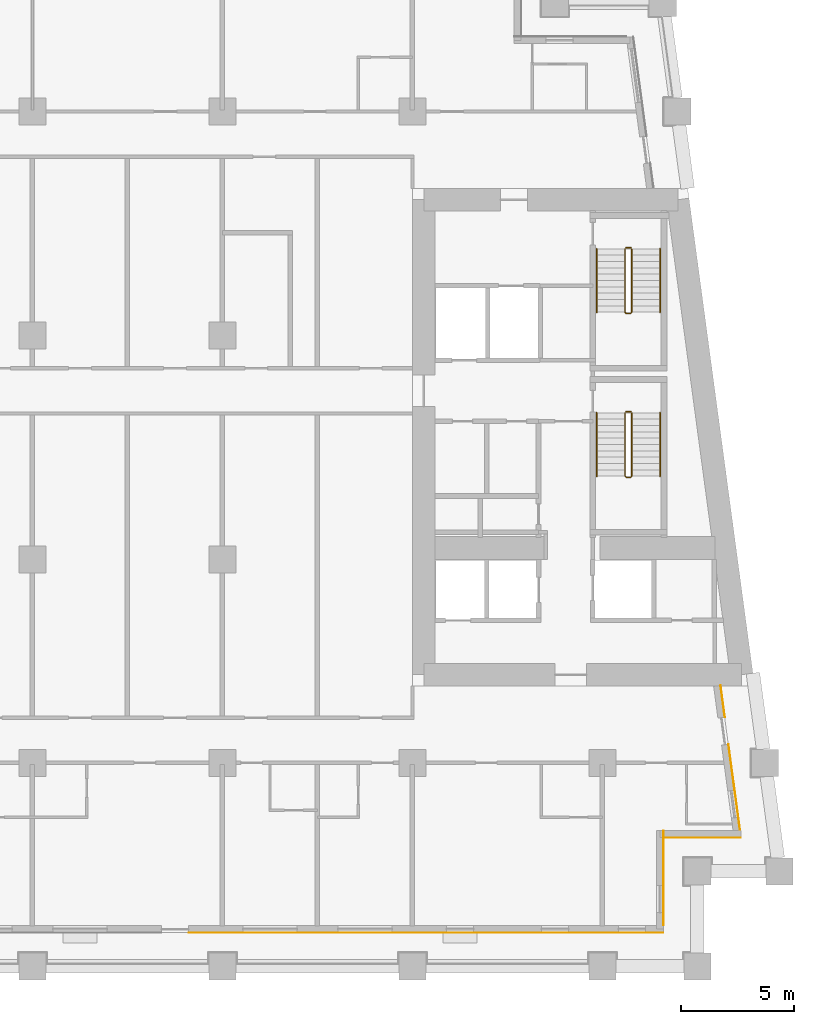
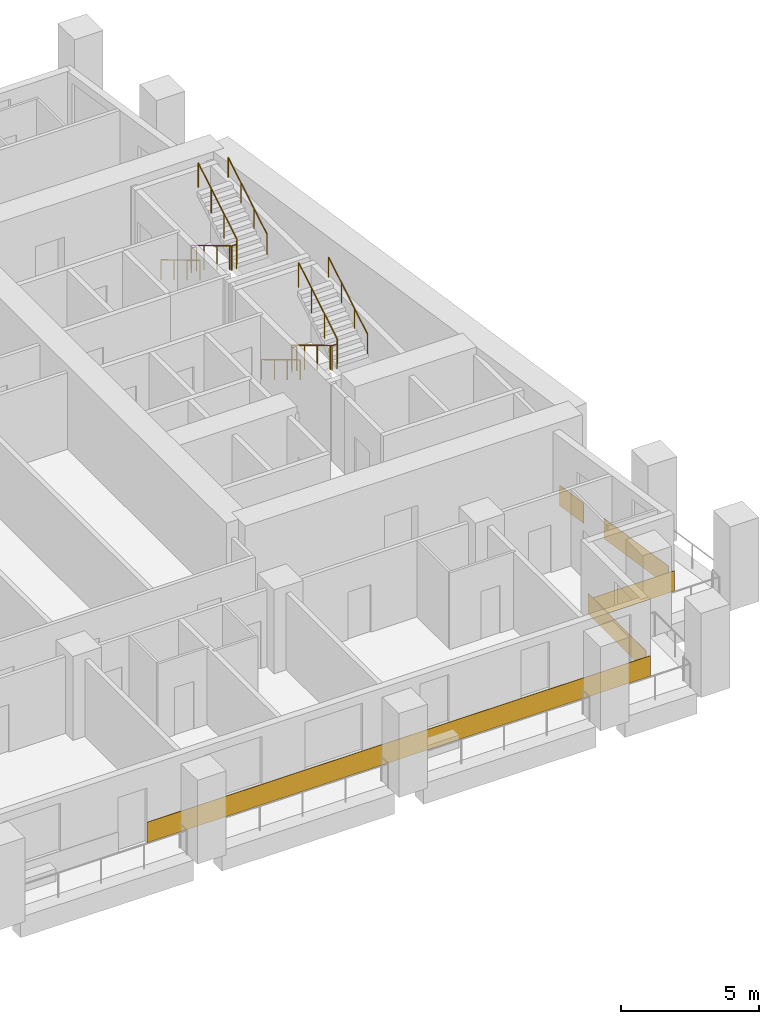
# One storey, part 11 of 13: 8 railings, 5 coverings.
"""IFC4 building model written with IfcOpenShell, lengths in metres."""

from ifc_helpers import new_model, si_unit, direction, frame, origin, origin_2d, place, context, subcontext, project, spatial, rectangle, circle, extrude, material, layer, layer_set, type_object, element, save


model = new_model("IFC4")

# Units and contexts
model_context = context("Model", 3, precision=1e-05, world=origin(), true_north=direction((0.0, 1.0)))
body_context = subcontext(model_context, "Body", "Model", "MODEL_VIEW")
ifc_project = project(units=[si_unit("LENGTHUNIT", "METRE"), si_unit("AREAUNIT", "SQUARE_METRE"), si_unit("VOLUMEUNIT", "CUBIC_METRE"), si_unit("PLANEANGLEUNIT", "RADIAN"), si_unit("MASSUNIT", "GRAM", prefix="KILO")], contexts=[model_context])

# Site, building, storey
site_placement = place(None, origin())
site = spatial("IfcSite", under=ifc_project, at=site_placement, CompositionType="ELEMENT")
building_placement = place(site_placement, origin())
building = spatial("IfcBuilding", under=site, at=building_placement, Name="Candeia Pilgrim Tower and Theatre", CompositionType="ELEMENT")
storey_placement = place(building_placement, frame((0.0, 0.0, 98.39990234375)))
storey = spatial("IfcBuildingStorey", under=building, at=storey_placement, Name="L22", CompositionType="ELEMENT", Elevation=98.39990234375)

# Coverings
ifc_material_1 = material(Name="Glazed ceramic tile red")
ifc_layer = layer(ifc_material_1, 0.02001953125)
ifc_layer_set = layer_set([ifc_layer], Name="Glazed ceramic tile red")
covering_type = type_object("IfcCoveringType", Name="Glazed ceramic tile red", PredefinedType="CLADDING", material=ifc_layer_set)
covering_1_placement = place(storey_placement, frame((126.60009765625, 99.489990234375, 0.000244140625), z_axis=(0.0, 0.0, 1.0), x_axis=(1.0, 0.0, 0.0)))
element("IfcCovering", 1, at=covering_1_placement, inside=storey, type_object=covering_type, Name="Tile cladding red L22", PredefinedType="CLADDING", context=body_context, shape_type="SweptSolid", body=[
    extrude(rectangle(XDim=21.0, YDim=0.02001953125, at=origin_2d()), origin(), (0.0, 0.0, 1.0), 0.89990234375),
])
covering_2_placement = place(storey_placement, frame((137.110107421875, 101.909912109375, 0.000244140625), z_axis=(0.0, 0.0, 1.0), x_axis=(0.0, 1.0, 0.0)))
element("IfcCovering", 2, at=covering_2_placement, inside=storey, type_object=covering_type, Name="Tile cladding red L22", PredefinedType="CLADDING", context=body_context, shape_type="SweptSolid", body=[
    extrude(rectangle(XDim=4.179931640625, YDim=0.02001953125, at=origin_2d()), origin(), (0.0, 0.0, 1.0), 0.89990234375),
])
covering_3_placement = place(storey_placement, frame((138.819580078125, 103.68994140625, 0.000244140625), z_axis=(0.0, 0.0, 1.0), x_axis=(1.0, 0.0, 0.0)))
element("IfcCovering", 3, at=covering_3_placement, inside=storey, type_object=covering_type, Name="Tile cladding red L22", PredefinedType="CLADDING", context=body_context, shape_type="SweptSolid", body=[
    extrude(rectangle(XDim=3.399169921875, YDim=0.02001953125, at=origin_2d()), origin(), (0.0, 0.0, 1.0), 0.89990234375),
])
covering_4_placement = place(storey_placement, frame((140.228515625, 105.933349609375, 0.000244140625), z_axis=(0.0, 0.0, 1.0), x_axis=(-0.133412012145, 0.991060661622, 0.0)))
element("IfcCovering", 4, at=covering_4_placement, inside=storey, type_object=covering_type, Name="Tile cladding red L22", PredefinedType="CLADDING", context=body_context, shape_type="SweptSolid", body=[
    extrude(rectangle(XDim=3.821044921875, YDim=0.02001953125, at=origin_2d()), origin(), (0.0, 0.0, 1.0), 0.89990234375),
])
covering_5_placement = place(storey_placement, frame((139.718994140625, 109.71875, 0.000244140625), z_axis=(0.0, 0.0, 1.0), x_axis=(-0.133412012145, 0.991060661622, 0.0)))
element("IfcCovering", 5, at=covering_5_placement, inside=storey, type_object=covering_type, Name="Tile cladding red L22", PredefinedType="CLADDING", context=body_context, shape_type="SweptSolid", body=[
    extrude(rectangle(XDim=1.41796875, YDim=0.02001953125, at=origin_2d()), origin(), (0.0, 0.0, 1.0), 0.89990234375),
])

# Railings
ifc_material_2 = material(Name="Stainless steel balustrade", Category="steel")
railing_type_1 = type_object("IfcRailingType", Name="RL-GUARD-1100", PredefinedType="GUARDRAIL", material=ifc_material_2)
railing_1_placement = place(storey_placement, frame((135.39794921875, 122.47509765625, 0.168212890625)))
element("IfcRailing", 6, at=railing_1_placement, inside=storey, type_object=railing_type_1, Name="L22 ST3 stair guard 1", PredefinedType="GUARDRAIL", context=body_context, shape_type="SweptSolid", body=[
    extrude(circle(Radius=0.02392578125, at=origin_2d()), frame((0.0, 0.0, 1.076171875), z_axis=(0.0, -0.857242210791, 0.514913383045), x_axis=(1.0, 0.0, 0.0)), (0.0, 0.0, 1.0), 3.266357421875),
    extrude(circle(Radius=0.02392578125, at=origin_2d()), frame((0.0, -2.800048828125, 2.7578125), z_axis=(0.707106781187, -0.707106781187, 0.0), x_axis=(0.707106781187, 0.707106781187, 0.0)), (0.0, 0.0, 1.0), 0.07080078125),
    extrude(circle(Radius=0.02392578125, at=origin_2d()), frame((0.050048828125, -2.85009765625, 2.7578125), z_axis=(1.0, 0.0, 0.0), x_axis=(0.0, 1.0, 0.0)), (0.0, 0.0, 1.0), 0.199951171875),
    extrude(circle(Radius=0.02392578125, at=origin_2d()), frame((0.25, -2.85009765625, 2.7578125), z_axis=(0.274243871929, 0.274243871929, 0.92172696468), x_axis=(-0.707106781187, 0.707106781187, 0.0)), (0.0, 0.0, 1.0), 0.1826171875),
    extrude(circle(Radius=0.02392578125, at=origin_2d()), frame((0.300048828125, -2.800048828125, 2.92626953125), z_axis=(0.0, 0.857242210791, 0.514913383045), x_axis=(-1.0, 0.0, 0.0)), (0.0, 0.0, 1.0), 3.266357421875),
    extrude(circle(Radius=0.02099609375, at=origin_2d()), origin(), (0.0, 0.0, 1.0), 1.052001953125),
    extrude(circle(Radius=0.02099609375, at=origin_2d()), frame((0.0, -0.933349609375, 0.560546875)), (0.0, 0.0, 1.0), 1.052001953125),
    extrude(circle(Radius=0.02099609375, at=origin_2d()), frame((0.0, -1.86669921875, 1.121337890625)), (0.0, 0.0, 1.0), 1.052001953125),
    extrude(circle(Radius=0.02099609375, at=origin_2d()), frame((0.0, -2.800048828125, 1.681884765625)), (0.0, 0.0, 1.0), 1.052001953125),
    extrude(circle(Radius=0.02099609375, at=origin_2d()), frame((0.050048828125, -2.85009765625, 1.681884765625)), (0.0, 0.0, 1.0), 1.052001953125),
    extrude(circle(Radius=0.02099609375, at=origin_2d()), frame((0.25, -2.85009765625, 1.681884765625)), (0.0, 0.0, 1.0), 1.052001953125),
    extrude(circle(Radius=0.02099609375, at=origin_2d()), frame((0.300048828125, -2.800048828125, 1.85009765625)), (0.0, 0.0, 1.0), 1.052001953125),
    extrude(circle(Radius=0.02099609375, at=origin_2d()), frame((0.300048828125, -1.86669921875, 2.41064453125)), (0.0, 0.0, 1.0), 1.052001953125),
    extrude(circle(Radius=0.02099609375, at=origin_2d()), frame((0.300048828125, -0.933349609375, 2.971435546875)), (0.0, 0.0, 1.0), 1.052001953125),
    extrude(circle(Radius=0.02099609375, at=origin_2d()), frame((0.300048828125, 0.0, 3.531982421875)), (0.0, 0.0, 1.0), 1.052001953125),
])
railing_2_placement = place(storey_placement, frame((135.447998046875, 122.52490234375, 0.0)))
element("IfcRailing", 7, at=railing_2_placement, inside=storey, type_object=railing_type_1, Name="L22 ST3 stair guard 2", PredefinedType="GUARDRAIL", context=body_context, shape_type="SweptSolid", body=[
    extrude(circle(Radius=0.02392578125, at=origin_2d()), frame((0.0, 0.0, 1.076171875), z_axis=(1.0, 0.0, 0.0), x_axis=(0.0, 1.0, 0.0)), (0.0, 0.0, 1.0), 0.199951171875),
    extrude(circle(Radius=0.02099609375, at=origin_2d()), origin(), (0.0, 0.0, 1.0), 1.052001953125),
    extrude(circle(Radius=0.02099609375, at=origin_2d()), frame((0.199951171875, 0.0, 0.0)), (0.0, 0.0, 1.0), 1.052001953125),
])
railing_3_placement = place(storey_placement, frame((135.39794921875, 129.72509765625, 0.168212890625)))
element("IfcRailing", 8, at=railing_3_placement, inside=storey, type_object=railing_type_1, Name="L22 ST4 stair guard 1", PredefinedType="GUARDRAIL", context=body_context, shape_type="SweptSolid", body=[
    extrude(circle(Radius=0.02392578125, at=origin_2d()), frame((0.0, 0.0, 1.076171875), z_axis=(0.0, -0.857242210791, 0.514913383045), x_axis=(1.0, 0.0, 0.0)), (0.0, 0.0, 1.0), 3.266357421875),
    extrude(circle(Radius=0.02392578125, at=origin_2d()), frame((0.0, -2.800048828125, 2.7578125), z_axis=(0.707106781187, -0.707106781187, 0.0), x_axis=(0.707106781187, 0.707106781187, 0.0)), (0.0, 0.0, 1.0), 0.07080078125),
    extrude(circle(Radius=0.02392578125, at=origin_2d()), frame((0.050048828125, -2.85009765625, 2.7578125), z_axis=(1.0, 0.0, 0.0), x_axis=(0.0, 1.0, 0.0)), (0.0, 0.0, 1.0), 0.199951171875),
    extrude(circle(Radius=0.02392578125, at=origin_2d()), frame((0.25, -2.85009765625, 2.7578125), z_axis=(0.274243871929, 0.274243871929, 0.92172696468), x_axis=(-0.707106781187, 0.707106781187, 0.0)), (0.0, 0.0, 1.0), 0.1826171875),
    extrude(circle(Radius=0.02392578125, at=origin_2d()), frame((0.300048828125, -2.800048828125, 2.92626953125), z_axis=(0.0, 0.857242210791, 0.514913383045), x_axis=(-1.0, 0.0, 0.0)), (0.0, 0.0, 1.0), 3.266357421875),
    extrude(circle(Radius=0.02099609375, at=origin_2d()), origin(), (0.0, 0.0, 1.0), 1.052001953125),
    extrude(circle(Radius=0.02099609375, at=origin_2d()), frame((0.0, -0.933349609375, 0.560546875)), (0.0, 0.0, 1.0), 1.052001953125),
    extrude(circle(Radius=0.02099609375, at=origin_2d()), frame((0.0, -1.86669921875, 1.121337890625)), (0.0, 0.0, 1.0), 1.052001953125),
    extrude(circle(Radius=0.02099609375, at=origin_2d()), frame((0.0, -2.800048828125, 1.681884765625)), (0.0, 0.0, 1.0), 1.052001953125),
    extrude(circle(Radius=0.02099609375, at=origin_2d()), frame((0.050048828125, -2.85009765625, 1.681884765625)), (0.0, 0.0, 1.0), 1.052001953125),
    extrude(circle(Radius=0.02099609375, at=origin_2d()), frame((0.25, -2.85009765625, 1.681884765625)), (0.0, 0.0, 1.0), 1.052001953125),
    extrude(circle(Radius=0.02099609375, at=origin_2d()), frame((0.300048828125, -2.800048828125, 1.85009765625)), (0.0, 0.0, 1.0), 1.052001953125),
    extrude(circle(Radius=0.02099609375, at=origin_2d()), frame((0.300048828125, -1.86669921875, 2.41064453125)), (0.0, 0.0, 1.0), 1.052001953125),
    extrude(circle(Radius=0.02099609375, at=origin_2d()), frame((0.300048828125, -0.933349609375, 2.971435546875)), (0.0, 0.0, 1.0), 1.052001953125),
    extrude(circle(Radius=0.02099609375, at=origin_2d()), frame((0.300048828125, 0.0, 3.531982421875)), (0.0, 0.0, 1.0), 1.052001953125),
])
railing_4_placement = place(storey_placement, frame((135.447998046875, 129.77490234375, 0.0)))
element("IfcRailing", 9, at=railing_4_placement, inside=storey, type_object=railing_type_1, Name="L22 ST4 stair guard 2", PredefinedType="GUARDRAIL", context=body_context, shape_type="SweptSolid", body=[
    extrude(circle(Radius=0.02392578125, at=origin_2d()), frame((0.0, 0.0, 1.076171875), z_axis=(1.0, 0.0, 0.0), x_axis=(0.0, 1.0, 0.0)), (0.0, 0.0, 1.0), 0.199951171875),
    extrude(circle(Radius=0.02099609375, at=origin_2d()), origin(), (0.0, 0.0, 1.0), 1.052001953125),
    extrude(circle(Radius=0.02099609375, at=origin_2d()), frame((0.199951171875, 0.0, 0.0)), (0.0, 0.0, 1.0), 1.052001953125),
])
ifc_material_3 = material(Name="Stainless steel handrail", Category="steel")
railing_type_2 = type_object("IfcRailingType", Name="RL-HANDRAIL-900", PredefinedType="HANDRAIL", material=ifc_material_3)
railing_5_placement = place(storey_placement, frame((134.14794921875, 122.47509765625, 0.168212890625)))
element("IfcRailing", 10, at=railing_5_placement, inside=storey, type_object=railing_type_2, Name="L22 ST3 stair handrail 1", PredefinedType="HANDRAIL", context=body_context, shape_type="SweptSolid", body=[
    extrude(circle(Radius=0.02392578125, at=origin_2d()), frame((0.0, 0.0, 0.8759765625), z_axis=(0.0, -0.857242210791, 0.514913383045), x_axis=(1.0, 0.0, 0.0)), (0.0, 0.0, 1.0), 3.266357421875),
    extrude(circle(Radius=0.02099609375, at=origin_2d()), origin(), (0.0, 0.0, 1.0), 0.851806640625),
    extrude(circle(Radius=0.02099609375, at=origin_2d()), frame((0.0, -0.933349609375, 0.560546875)), (0.0, 0.0, 1.0), 0.851806640625),
    extrude(circle(Radius=0.02099609375, at=origin_2d()), frame((0.0, -1.86669921875, 1.121337890625)), (0.0, 0.0, 1.0), 0.851806640625),
    extrude(circle(Radius=0.02099609375, at=origin_2d()), frame((0.0, -2.800048828125, 1.681884765625)), (0.0, 0.0, 1.0), 0.851806640625),
])
railing_6_placement = place(storey_placement, frame((136.947998046875, 119.675048828125, 2.018310546875)))
element("IfcRailing", 11, at=railing_6_placement, inside=storey, type_object=railing_type_2, Name="L22 ST3 stair handrail 2", PredefinedType="HANDRAIL", context=body_context, shape_type="SweptSolid", body=[
    extrude(circle(Radius=0.02392578125, at=origin_2d()), frame((0.0, 0.0, 0.8759765625), z_axis=(0.0, 0.857242210791, 0.514913383045), x_axis=(-1.0, 0.0, 0.0)), (0.0, 0.0, 1.0), 3.266357421875),
    extrude(circle(Radius=0.02099609375, at=origin_2d()), origin(), (0.0, 0.0, 1.0), 0.851806640625),
    extrude(circle(Radius=0.02099609375, at=origin_2d()), frame((0.0, 0.933349609375, 0.560546875)), (0.0, 0.0, 1.0), 0.851806640625),
    extrude(circle(Radius=0.02099609375, at=origin_2d()), frame((0.0, 1.86669921875, 1.121337890625)), (0.0, 0.0, 1.0), 0.851806640625),
    extrude(circle(Radius=0.02099609375, at=origin_2d()), frame((0.0, 2.800048828125, 1.681884765625)), (0.0, 0.0, 1.0), 0.851806640625),
])
railing_7_placement = place(storey_placement, frame((134.14794921875, 129.72509765625, 0.168212890625)))
element("IfcRailing", 12, at=railing_7_placement, inside=storey, type_object=railing_type_2, Name="L22 ST4 stair handrail 1", PredefinedType="HANDRAIL", context=body_context, shape_type="SweptSolid", body=[
    extrude(circle(Radius=0.02392578125, at=origin_2d()), frame((0.0, 0.0, 0.8759765625), z_axis=(0.0, -0.857242210791, 0.514913383045), x_axis=(1.0, 0.0, 0.0)), (0.0, 0.0, 1.0), 3.266357421875),
    extrude(circle(Radius=0.02099609375, at=origin_2d()), origin(), (0.0, 0.0, 1.0), 0.851806640625),
    extrude(circle(Radius=0.02099609375, at=origin_2d()), frame((0.0, -0.933349609375, 0.560546875)), (0.0, 0.0, 1.0), 0.851806640625),
    extrude(circle(Radius=0.02099609375, at=origin_2d()), frame((0.0, -1.86669921875, 1.121337890625)), (0.0, 0.0, 1.0), 0.851806640625),
    extrude(circle(Radius=0.02099609375, at=origin_2d()), frame((0.0, -2.800048828125, 1.681884765625)), (0.0, 0.0, 1.0), 0.851806640625),
])
railing_8_placement = place(storey_placement, frame((136.947998046875, 126.925048828125, 2.018310546875)))
element("IfcRailing", 13, at=railing_8_placement, inside=storey, type_object=railing_type_2, Name="L22 ST4 stair handrail 2", PredefinedType="HANDRAIL", context=body_context, shape_type="SweptSolid", body=[
    extrude(circle(Radius=0.02392578125, at=origin_2d()), frame((0.0, 0.0, 0.8759765625), z_axis=(0.0, 0.857242210791, 0.514913383045), x_axis=(-1.0, 0.0, 0.0)), (0.0, 0.0, 1.0), 3.266357421875),
    extrude(circle(Radius=0.02099609375, at=origin_2d()), origin(), (0.0, 0.0, 1.0), 0.851806640625),
    extrude(circle(Radius=0.02099609375, at=origin_2d()), frame((0.0, 0.933349609375, 0.560546875)), (0.0, 0.0, 1.0), 0.851806640625),
    extrude(circle(Radius=0.02099609375, at=origin_2d()), frame((0.0, 1.86669921875, 1.121337890625)), (0.0, 0.0, 1.0), 0.851806640625),
    extrude(circle(Radius=0.02099609375, at=origin_2d()), frame((0.0, 2.800048828125, 1.681884765625)), (0.0, 0.0, 1.0), 0.851806640625),
])

save(model, "model.ifc")
